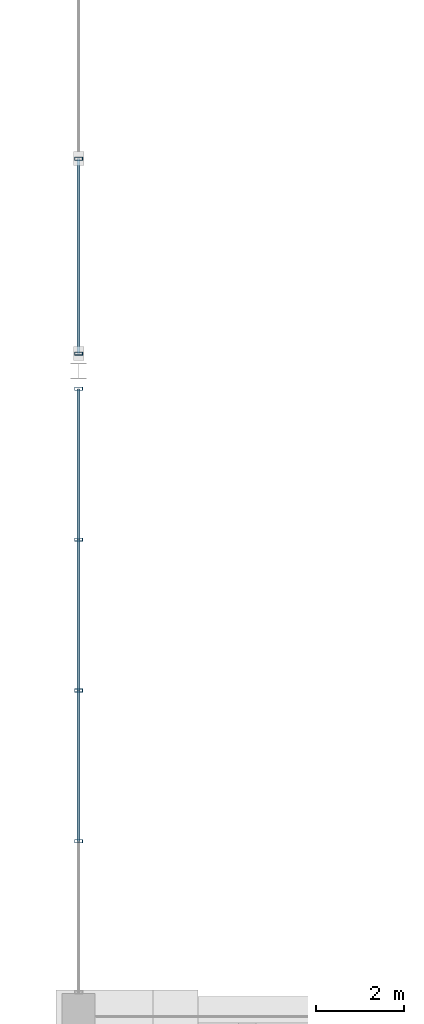
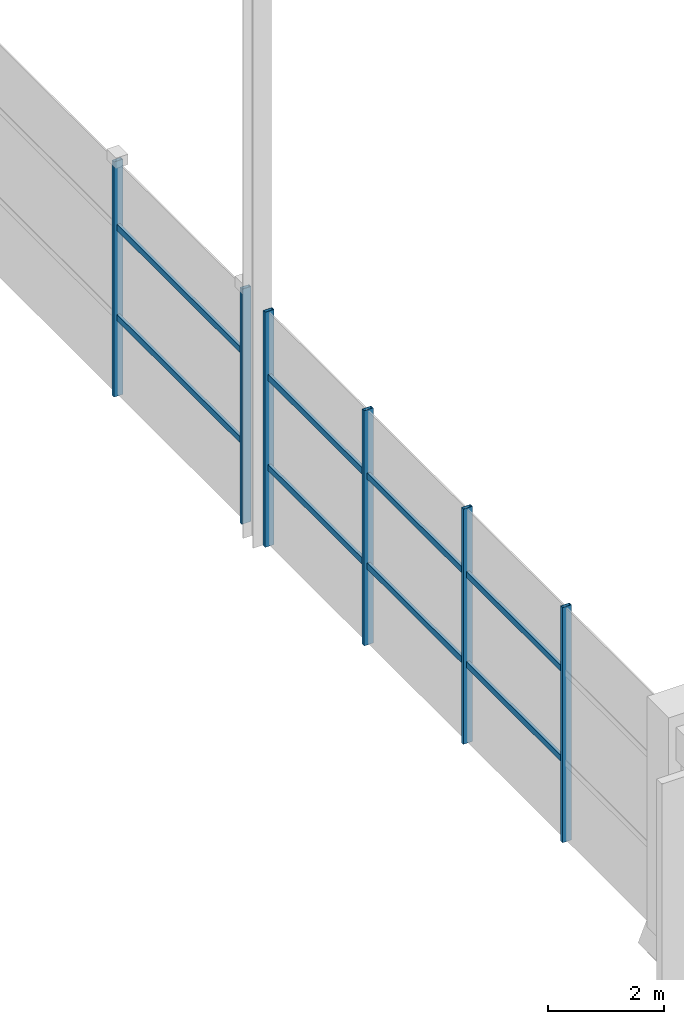
# One storey, part 23 of 148: 14 members, 2 elements without a shape of their own.
"""IFC4 building model written with IfcOpenShell, lengths in metres."""

from ifc_helpers import new_model, si_unit, direction, frame, origin, origin_2d, place, context, subcontext, project, spatial, hollow_rectangle, extrude, material, material_profile, profile_set, type_object, element, aggregate, save


model = new_model("IFC4")

# Units and contexts
model_context = context("Model", 3, precision=1e-05, world=origin(), true_north=direction((0.0, 1.0)))
body_context = subcontext(model_context, "Body", "Model", "MODEL_VIEW")
ifc_project = project(units=[si_unit("LENGTHUNIT", "METRE"), si_unit("AREAUNIT", "SQUARE_METRE"), si_unit("VOLUMEUNIT", "CUBIC_METRE"), si_unit("PLANEANGLEUNIT", "RADIAN"), si_unit("MASSUNIT", "GRAM", prefix="KILO")], contexts=[model_context])

# Site, building, storey
site_placement = place(None, origin())
site = spatial("IfcSite", under=ifc_project, at=site_placement, CompositionType="ELEMENT")
building_placement = place(site_placement, origin())
building = spatial("IfcBuilding", under=site, at=building_placement, Name="Ologun Quay Terminus", CompositionType="ELEMENT")
storey_placement = place(building_placement, frame((0.0, 0.0, 8.39990234375)))
storey = spatial("IfcBuildingStorey", under=building, at=storey_placement, Name="L02", CompositionType="ELEMENT", Elevation=8.39990234375)

# Curtain wall, members
ifc_material_1 = material(Name="Aluminium 6063-T6", Category="aluminium")
curtain_wall_type_1 = type_object("IfcCurtainWallType", Name="Train Shed Gable Arch Screen 13500x4900", PredefinedType="USERDEFINED", material=ifc_material_1)
curtain_wall_1_placement = place(storey_placement, origin())
curtain_wall_1 = element("IfcCurtainWall", 1, at=curtain_wall_1_placement, inside=storey, type_object=curtain_wall_type_1, Name="CW-10 Curtain Wall CW-GBL-W1", ObjectType="UNITISED CURTAIN WALL", PredefinedType="USERDEFINED")
ifc_material_2 = material(Name="Aluminium 6063-T6", Category="aluminium")
ifc_material_profile_1 = material_profile(ifc_material_2, hollow_rectangle(XDim=0.070068359375, YDim=0.179931640625, WallThickness=0.0048828125, at=origin_2d()), Name="ALU 180x70x5")
ifc_profile_set_1 = profile_set([ifc_material_profile_1], Name="Aluminium 6063-T6")
member_type_1 = type_object("IfcMemberType", Name="Concourse Clerestory Mullion 180x70", PredefinedType="MULLION", material=ifc_profile_set_1)
member_1_placement = place(storey_placement, frame((0.0, 39.824951171875, 0.14013671875), z_axis=(0.0, 0.0, 1.0), x_axis=(0.0, 1.0, 0.0)))
member_1 = element("IfcMember", 2, at=member_1_placement, type_object=member_type_1, Name="CW-GBL-W1 Mullion 2", PredefinedType="MULLION", context=body_context, shape_type="SweptSolid", body=[
    extrude(hollow_rectangle(XDim=0.070068359375, YDim=0.179931640625, WallThickness=0.0048828125, at=origin_2d()), origin(), (0.0, 0.0, 1.0), 4.9599609375),
])
member_2_placement = place(storey_placement, frame((0.0, 43.25, 0.14013671875), z_axis=(0.0, 0.0, 1.0), x_axis=(0.0, 1.0, 0.0)))
member_2 = element("IfcMember", 3, at=member_2_placement, type_object=member_type_1, Name="CW-GBL-W1 Mullion 3", PredefinedType="MULLION", context=body_context, shape_type="SweptSolid", body=[
    extrude(hollow_rectangle(XDim=0.070068359375, YDim=0.179931640625, WallThickness=0.0048828125, at=origin_2d()), origin(), (0.0, 0.0, 1.0), 4.9599609375),
])
member_3_placement = place(storey_placement, frame((0.0, 46.675048828125, 0.14013671875), z_axis=(0.0, 0.0, 1.0), x_axis=(0.0, 1.0, 0.0)))
member_3 = element("IfcMember", 4, at=member_3_placement, type_object=member_type_1, Name="CW-GBL-W1 Mullion 4", PredefinedType="MULLION", context=body_context, shape_type="SweptSolid", body=[
    extrude(hollow_rectangle(XDim=0.070068359375, YDim=0.179931640625, WallThickness=0.0048828125, at=origin_2d()), origin(), (0.0, 0.0, 1.0), 4.9599609375),
])
member_4_placement = place(storey_placement, frame((0.0, 50.10009765625, 0.14013671875), z_axis=(0.0, 0.0, 1.0), x_axis=(0.0, 1.0, 0.0)))
member_4 = element("IfcMember", 5, at=member_4_placement, type_object=member_type_1, Name="CW-GBL-W1 Mullion 5", PredefinedType="MULLION", context=body_context, shape_type="SweptSolid", body=[
    extrude(hollow_rectangle(XDim=0.070068359375, YDim=0.179931640625, WallThickness=0.0048828125, at=origin_2d()), origin(), (0.0, 0.0, 1.0), 4.9599609375),
])

ifc_material_3 = material(Name="Aluminium 6063-T6", Category="aluminium")
curtain_wall_type_2 = type_object("IfcCurtainWallType", Name="Train Shed Gable Center Screen 17500x4900", PredefinedType="USERDEFINED", material=ifc_material_3)
curtain_wall_2_placement = place(storey_placement, origin())
curtain_wall_2 = element("IfcCurtainWall", 6, at=curtain_wall_2_placement, inside=storey, type_object=curtain_wall_type_2, Name="CW-11 Curtain Wall CW-GBL-W2", ObjectType="UNITISED CURTAIN WALL", PredefinedType="USERDEFINED")
member_5_placement = place(storey_placement, frame((0.0, 50.89990234375, 0.14013671875), z_axis=(0.0, 0.0, 1.0), x_axis=(0.0, 1.0, 0.0)))
member_5 = element("IfcMember", 7, at=member_5_placement, type_object=member_type_1, Name="CW-GBL-W2 Mullion 1", PredefinedType="MULLION", context=body_context, shape_type="SweptSolid", body=[
    extrude(hollow_rectangle(XDim=0.070068359375, YDim=0.179931640625, WallThickness=0.0048828125, at=origin_2d()), origin(), (0.0, 0.0, 1.0), 4.9599609375),
])
member_6_placement = place(storey_placement, frame((0.0, 55.324951171875, 0.14013671875), z_axis=(0.0, 0.0, 1.0), x_axis=(0.0, 1.0, 0.0)))
member_6 = element("IfcMember", 8, at=member_6_placement, type_object=member_type_1, Name="CW-GBL-W2 Mullion 2", PredefinedType="MULLION", context=body_context, shape_type="SweptSolid", body=[
    extrude(hollow_rectangle(XDim=0.070068359375, YDim=0.179931640625, WallThickness=0.0048828125, at=origin_2d()), origin(), (0.0, 0.0, 1.0), 4.9599609375),
])

# Member
ifc_material_4 = material(Name="Aluminium 6063-T6", Category="aluminium")
ifc_material_profile_2 = material_profile(ifc_material_4, hollow_rectangle(XDim=0.06005859375, YDim=0.1298828125, WallThickness=0.00390625, at=origin_2d()), Name="ALU 130x60x4")
ifc_profile_set_2 = profile_set([ifc_material_profile_2], Name="Aluminium 6063-T6")
member_type_2 = type_object("IfcMemberType", Name="Concourse Clerestory Transom 130x60", PredefinedType="USERDEFINED", material=ifc_profile_set_2)
member_7_placement = place(storey_placement, frame((0.0, 39.824951171875, 1.800048828125), z_axis=(0.0, 1.0, 0.0), x_axis=(-1.0, 0.0, 0.0)))
member_7 = element("IfcMember", 9, at=member_7_placement, type_object=member_type_2, Name="CW-GBL-W1 Transom B2-1", ObjectType="TRANSOM", PredefinedType="USERDEFINED", context=body_context, shape_type="SweptSolid", body=[
    extrude(hollow_rectangle(XDim=0.06005859375, YDim=0.1298828125, WallThickness=0.00390625, at=origin_2d()), origin(), (0.0, 0.0, 1.0), 3.425048828125),
])

member_8_placement = place(storey_placement, frame((0.0, 39.824951171875, 3.7001953125), z_axis=(0.0, 1.0, 0.0), x_axis=(-1.0, 0.0, 0.0)))
member_8 = element("IfcMember", 10, at=member_8_placement, type_object=member_type_2, Name="CW-GBL-W1 Transom B2-2", ObjectType="TRANSOM", PredefinedType="USERDEFINED", context=body_context, shape_type="SweptSolid", body=[
    extrude(hollow_rectangle(XDim=0.06005859375, YDim=0.1298828125, WallThickness=0.00390625, at=origin_2d()), origin(), (0.0, 0.0, 1.0), 3.425048828125),
])

member_9_placement = place(storey_placement, frame((0.0, 43.25, 1.800048828125), z_axis=(0.0, 1.0, 0.0), x_axis=(-1.0, 0.0, 0.0)))
member_9 = element("IfcMember", 11, at=member_9_placement, type_object=member_type_2, Name="CW-GBL-W1 Transom B3-1", ObjectType="TRANSOM", PredefinedType="USERDEFINED", context=body_context, shape_type="SweptSolid", body=[
    extrude(hollow_rectangle(XDim=0.06005859375, YDim=0.1298828125, WallThickness=0.00390625, at=origin_2d()), origin(), (0.0, 0.0, 1.0), 3.425048828125),
])

member_10_placement = place(storey_placement, frame((0.0, 43.25, 3.7001953125), z_axis=(0.0, 1.0, 0.0), x_axis=(-1.0, 0.0, 0.0)))
member_10 = element("IfcMember", 12, at=member_10_placement, type_object=member_type_2, Name="CW-GBL-W1 Transom B3-2", ObjectType="TRANSOM", PredefinedType="USERDEFINED", context=body_context, shape_type="SweptSolid", body=[
    extrude(hollow_rectangle(XDim=0.06005859375, YDim=0.1298828125, WallThickness=0.00390625, at=origin_2d()), origin(), (0.0, 0.0, 1.0), 3.425048828125),
])

member_11_placement = place(storey_placement, frame((0.0, 46.675048828125, 1.800048828125), z_axis=(0.0, 1.0, 0.0), x_axis=(-1.0, 0.0, 0.0)))
member_11 = element("IfcMember", 13, at=member_11_placement, type_object=member_type_2, Name="CW-GBL-W1 Transom B4-1", ObjectType="TRANSOM", PredefinedType="USERDEFINED", context=body_context, shape_type="SweptSolid", body=[
    extrude(hollow_rectangle(XDim=0.06005859375, YDim=0.1298828125, WallThickness=0.00390625, at=origin_2d()), origin(), (0.0, 0.0, 1.0), 3.425048828125),
])

member_12_placement = place(storey_placement, frame((0.0, 46.675048828125, 3.7001953125), z_axis=(0.0, 1.0, 0.0), x_axis=(-1.0, 0.0, 0.0)))
member_12 = element("IfcMember", 14, at=member_12_placement, type_object=member_type_2, Name="CW-GBL-W1 Transom B4-2", ObjectType="TRANSOM", PredefinedType="USERDEFINED", context=body_context, shape_type="SweptSolid", body=[
    extrude(hollow_rectangle(XDim=0.06005859375, YDim=0.1298828125, WallThickness=0.00390625, at=origin_2d()), origin(), (0.0, 0.0, 1.0), 3.425048828125),
])

aggregate(curtain_wall_1, [member_1, member_2, member_3, member_4, member_7, member_8, member_9, member_10, member_11, member_12])

member_13_placement = place(storey_placement, frame((0.0, 50.89990234375, 1.800048828125), z_axis=(0.0, 1.0, 0.0), x_axis=(-1.0, 0.0, 0.0)))
member_13 = element("IfcMember", 15, at=member_13_placement, type_object=member_type_2, Name="CW-GBL-W2 Transom B1-1", ObjectType="TRANSOM", PredefinedType="USERDEFINED", context=body_context, shape_type="SweptSolid", body=[
    extrude(hollow_rectangle(XDim=0.06005859375, YDim=0.1298828125, WallThickness=0.00390625, at=origin_2d()), origin(), (0.0, 0.0, 1.0), 4.425048828125),
])

member_14_placement = place(storey_placement, frame((0.0, 50.89990234375, 3.7001953125), z_axis=(0.0, 1.0, 0.0), x_axis=(-1.0, 0.0, 0.0)))
member_14 = element("IfcMember", 16, at=member_14_placement, type_object=member_type_2, Name="CW-GBL-W2 Transom B1-2", ObjectType="TRANSOM", PredefinedType="USERDEFINED", context=body_context, shape_type="SweptSolid", body=[
    extrude(hollow_rectangle(XDim=0.06005859375, YDim=0.1298828125, WallThickness=0.00390625, at=origin_2d()), origin(), (0.0, 0.0, 1.0), 4.425048828125),
])

aggregate(curtain_wall_2, [member_5, member_6, member_13, member_14])

save(model, "model.ifc")
